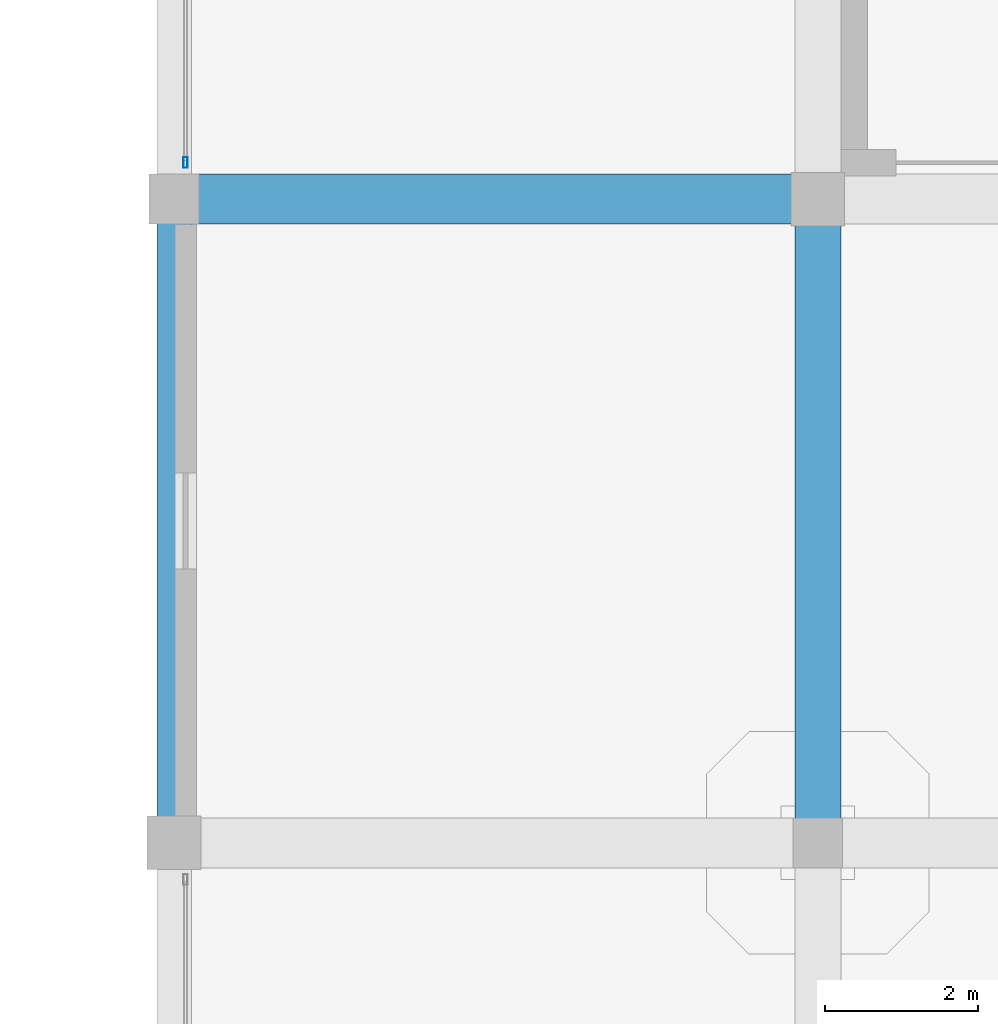
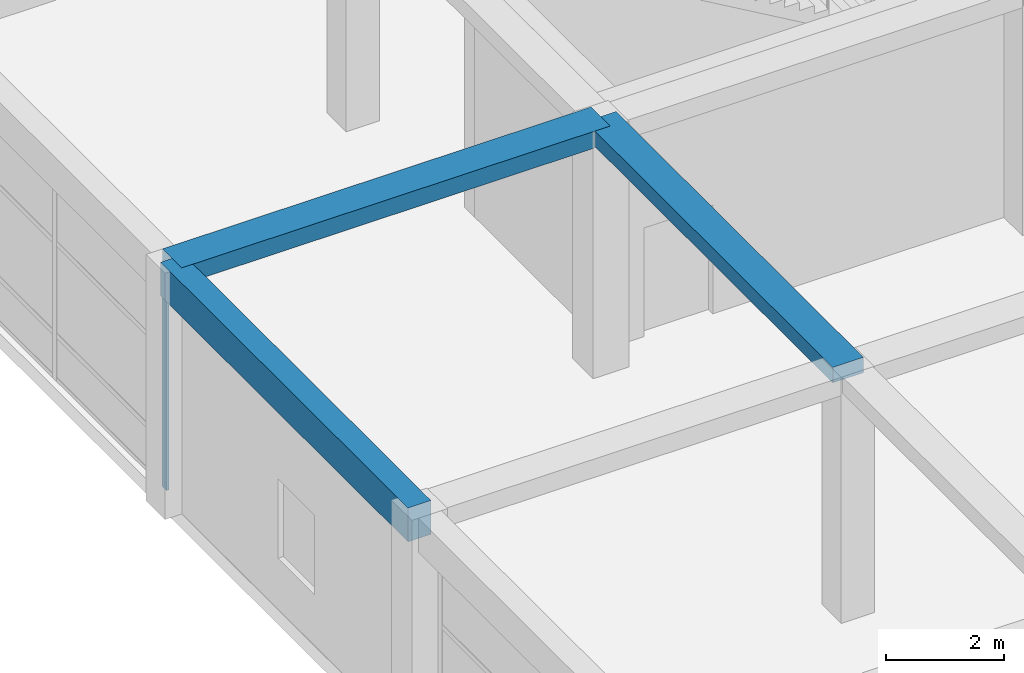
# One storey, part 21 of 96: 3 beams, 1 member, 1 element without a shape of its own.
"""IFC4 building model written with IfcOpenShell, lengths in metres."""

from ifc_helpers import new_model, si_unit, direction, frame, origin, origin_2d, place, context, subcontext, project, spatial, rectangle, hollow_rectangle, extrude, material, material_profile, profile_set, type_object, element, aggregate, save


model = new_model("IFC4")

# Units and contexts
model_context = context("Model", 3, precision=1e-05, world=origin(), true_north=direction((0.0, 1.0)))
body_context = subcontext(model_context, "Body", "Model", "MODEL_VIEW")
ifc_project = project(units=[si_unit("LENGTHUNIT", "METRE"), si_unit("AREAUNIT", "SQUARE_METRE"), si_unit("VOLUMEUNIT", "CUBIC_METRE"), si_unit("PLANEANGLEUNIT", "RADIAN"), si_unit("MASSUNIT", "GRAM", prefix="KILO")], contexts=[model_context])

# Site, building, storey
site_placement = place(None, origin())
site = spatial("IfcSite", under=ifc_project, at=site_placement, CompositionType="ELEMENT")
building_placement = place(site_placement, origin())
building = spatial("IfcBuilding", under=site, at=building_placement, Name="Almacenes y Pasaje Nevantli", CompositionType="ELEMENT")
storey_placement = place(building_placement, frame((0.0, 0.0, 6.0)))
storey = spatial("IfcBuildingStorey", under=building, at=storey_placement, Name="L02", CompositionType="ELEMENT", Elevation=6.0)

# Beams
ifc_material_1 = material(Name="Concrete C35/45", Category="concrete")
ifc_material_profile_1 = material_profile(ifc_material_1, rectangle(XDim=0.449951171875, YDim=0.699951171875, at=origin_2d()), Name="RC-BM-450x700")
ifc_profile_set_1 = profile_set([ifc_material_profile_1], Name="Concrete C35/45")
beam_type_1 = type_object("IfcBeamType", Name="BM-RC-450x700", PredefinedType="SPANDREL", material=ifc_profile_set_1)
beam_1_placement = place(storey_placement, frame((0.0, 50.39990234375, 4.75), z_axis=(0.0, 1.0, 0.0), x_axis=(-1.0, 0.0, 0.0)))
element("IfcBeam", 1, at=beam_1_placement, inside=storey, type_object=beam_type_1, Name="L02 North-South Reinforced Concrete Beam #1969", PredefinedType="SPANDREL", context=body_context, shape_type="SweptSolid", body=[
    extrude(rectangle(XDim=0.449951171875, YDim=0.699951171875, at=origin_2d()), origin(), (0.0, 0.0, 1.0), 8.400146484375),
])
ifc_material_2 = material(Name="Concrete C35/45", Category="concrete")
ifc_material_profile_2 = material_profile(ifc_material_2, rectangle(XDim=0.60009765625, YDim=0.320068359375, at=origin_2d()), Name="RC-BM-600x320")
ifc_profile_set_2 = profile_set([ifc_material_profile_2], Name="Concrete C35/45")
beam_type_2 = type_object("IfcBeamType", Name="BM-RC-600x320", PredefinedType="BEAM", material=ifc_profile_set_2)
beam_2_placement = place(storey_placement, frame((8.39990234375, 50.39990234375, 4.93994140625), z_axis=(0.0, 1.0, 0.0), x_axis=(-1.0, 0.0, 0.0)))
element("IfcBeam", 2, at=beam_2_placement, inside=storey, type_object=beam_type_2, Name="L02 North-South Reinforced Concrete Beam #1980", PredefinedType="BEAM", context=body_context, shape_type="SweptSolid", body=[
    extrude(rectangle(XDim=0.60009765625, YDim=0.320068359375, at=origin_2d()), origin(), (0.0, 0.0, 1.0), 8.400146484375),
])
ifc_material_3 = material(Name="Concrete C35/45", Category="concrete")
ifc_material_profile_3 = material_profile(ifc_material_3, rectangle(XDim=0.64990234375, YDim=0.35009765625, at=origin_2d()), Name="RC-BM-650x350")
ifc_profile_set_3 = profile_set([ifc_material_profile_3], Name="Concrete C35/45")
beam_type_3 = type_object("IfcBeamType", Name="BM-RC-650x350", PredefinedType="BEAM", material=ifc_profile_set_3)
beam_3_placement = place(storey_placement, frame((0.0, 58.800048828125, 4.925048828125), z_axis=(1.0, 0.0, 0.0), x_axis=(0.0, 1.0, 0.0)))
element("IfcBeam", 3, at=beam_3_placement, inside=storey, type_object=beam_type_3, Name="L02 East-West Reinforced Concrete Beam #1833", PredefinedType="BEAM", context=body_context, shape_type="SweptSolid", body=[
    extrude(rectangle(XDim=0.64990234375, YDim=0.35009765625, at=origin_2d()), origin(), (0.0, 0.0, 1.0), 8.39990234375),
])

# Curtain wall, member
ifc_material_4 = material(Name="Thermally Broken Aluminium and Low-E Glass", Category="aluminium")
curtain_wall_type = type_object("IfcCurtainWallType", Name="CW-UNIT-PODIUM", PredefinedType="USERDEFINED", material=ifc_material_4)
curtain_wall_placement = place(storey_placement, origin())
curtain_wall = element("IfcCurtainWall", 4, at=curtain_wall_placement, inside=storey, type_object=curtain_wall_type, Name="L02 West Avenue Unitized Curtain Wall Bay 8", ObjectType="UNITIZED CURTAIN WALL", PredefinedType="USERDEFINED")
ifc_material_5 = material(Name="Thermally Broken Anodized Aluminium", Category="aluminium")
ifc_material_profile_4 = material_profile(ifc_material_5, hollow_rectangle(XDim=0.054931640625, YDim=0.139892578125, WallThickness=0.00341796875, at=origin_2d()), Name="ALU-MUL-55x140")
ifc_profile_set_4 = profile_set([ifc_material_profile_4], Name="Thermally Broken Anodized Aluminium")
member_type = type_object("IfcMemberType", Name="CW-MUL-160", PredefinedType="MULLION", material=ifc_profile_set_4)
member_placement = place(storey_placement, frame((0.14990234375, 59.277587890625, 0.0), z_axis=(0.0, 0.0, 1.0), x_axis=(-1.0, 0.0, 0.0)))
member = element("IfcMember", 5, at=member_placement, type_object=member_type, Name="CW-L02-017 mullion 1", PredefinedType="MULLION", context=body_context, shape_type="SweptSolid", body=[
    extrude(hollow_rectangle(XDim=0.054931640625, YDim=0.139892578125, WallThickness=0.00341796875, at=origin_2d()), origin(), (0.0, 0.0, 1.0), 4.3798828125),
])
aggregate(curtain_wall, [member])

save(model, "model.ifc")
